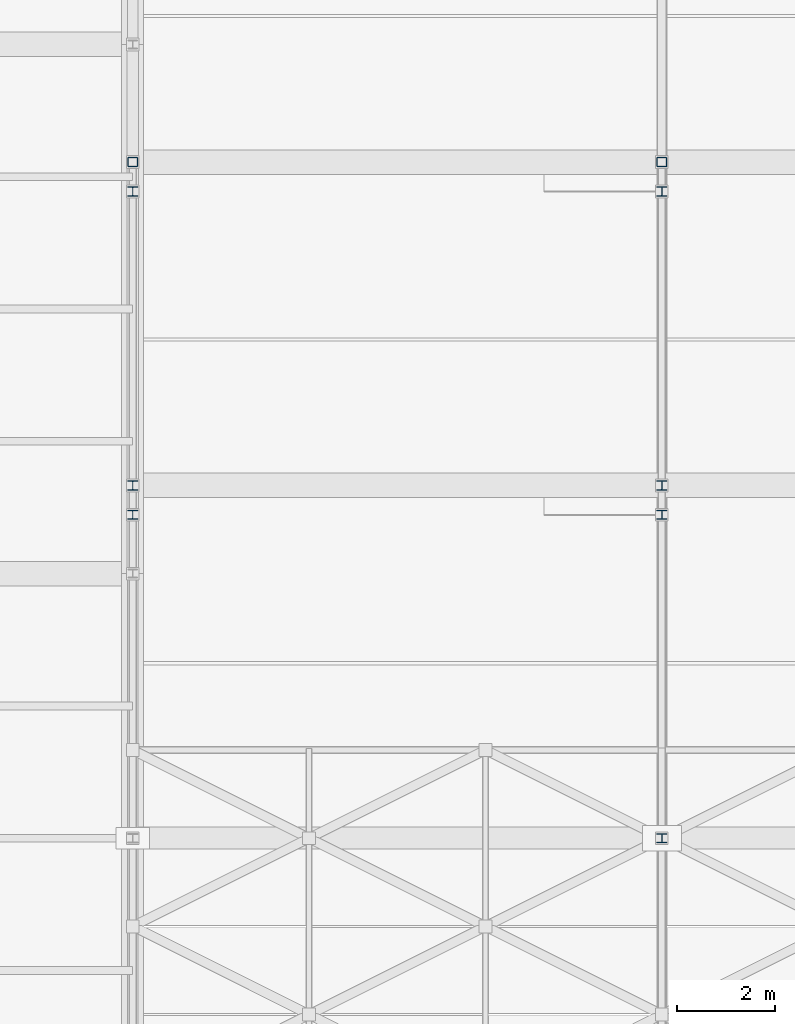
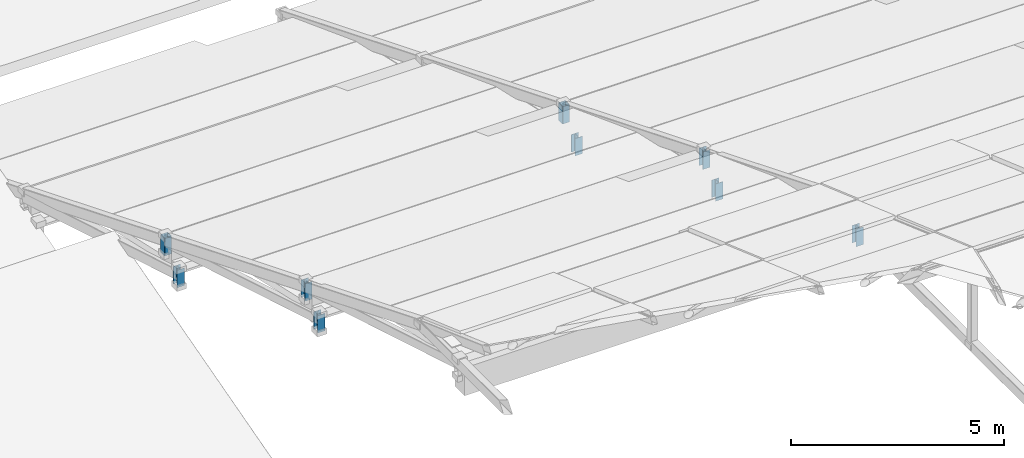
# One storey, part 76 of 112: 9 members.
"""IFC4 building model written with IfcOpenShell, lengths in metres."""

from ifc_helpers import new_model, si_unit, direction, frame, origin, origin_2d, place, context, subcontext, project, spatial, hollow_rectangle, i_section, extrude, material, material_profile, profile_set, type_object, element, save


model = new_model("IFC4")

# Units and contexts
model_context = context("Model", 3, precision=1e-05, world=origin(), true_north=direction((0.0, 1.0)))
body_context = subcontext(model_context, "Body", "Model", "MODEL_VIEW")
ifc_project = project(units=[si_unit("LENGTHUNIT", "METRE"), si_unit("AREAUNIT", "SQUARE_METRE"), si_unit("VOLUMEUNIT", "CUBIC_METRE"), si_unit("PLANEANGLEUNIT", "RADIAN"), si_unit("MASSUNIT", "GRAM", prefix="KILO")], contexts=[model_context])

# Site, building, storey
site_placement = place(None, origin())
site = spatial("IfcSite", under=ifc_project, at=site_placement, CompositionType="ELEMENT")
building_placement = place(site_placement, origin())
building = spatial("IfcBuilding", under=site, at=building_placement, Name="Zwinboog Wholesale Market", CompositionType="ELEMENT")
storey_placement = place(building_placement, frame((0.0, 0.0, 19.080078125)))
storey = spatial("IfcBuildingStorey", under=building, at=storey_placement, Name="Roof", CompositionType="ELEMENT", Elevation=19.080078125)

# Members
ifc_material = material(Name="Steel S355", Category="steel")
ifc_material_profile_1 = material_profile(ifc_material, hollow_rectangle(XDim=0.199951171875, YDim=0.199951171875, WallThickness=0.010009765625, InnerFilletRadius=0.010009765625, OuterFilletRadius=0.02001953125, at=origin_2d()), Name="SHS 200x200x10")
ifc_profile_set_1 = profile_set([ifc_material_profile_1], Name="Steel S355")
member_type_1 = type_object("IfcMemberType", Name="MT-04", PredefinedType="BRACE", material=ifc_profile_set_1)
for number, where, z_axis, x_axis, name in (
    (1, (64.800048828125, 94.800048828125, -4.630126953125), (0.0, 0.0, 1.0), (1.0, 0.0, 0.0), "DB-01 (MEM-Roof-0021)"),
    (2, (75.60009765625, 94.800048828125, -4.630126953125), (0.0, 0.0, 1.0), (1.0, 0.0, 0.0), "DB-01 (MEM-Roof-0051)"),
):
    element("IfcMember", number, at=place(storey_placement, frame(where, z_axis=z_axis, x_axis=x_axis)), inside=storey, type_object=member_type_1, Name=name, PredefinedType="BRACE", context=body_context, shape_type="SweptSolid", body=[
        extrude(hollow_rectangle(XDim=0.199951171875, YDim=0.199951171875, WallThickness=0.010009765625, InnerFilletRadius=0.010009765625, OuterFilletRadius=0.02001953125, at=origin_2d()), origin(), (0.0, 0.0, 1.0), 0.5),
    ])
ifc_material_profile_2 = material_profile(ifc_material, i_section(OverallWidth=0.199951171875, OverallDepth=0.18994140625, WebThickness=0.006591796875, FlangeThickness=0.010009765625, FilletRadius=0.01806640625, at=origin_2d()), Name="HEA 200")
ifc_profile_set_2 = profile_set([ifc_material_profile_2], Name="Steel S355")
member_type_2 = type_object("IfcMemberType", Name="MT-05", PredefinedType="BRACE", material=ifc_profile_set_2)
for number, where, z_axis, x_axis, name in (
    (3, (64.800048828125, 94.199951171875, -5.18017578125), (0.0, 0.0, 1.0), (1.0, 0.0, 0.0), "DB-02 (MEM-Roof-0019)"),
    (4, (64.800048828125, 87.60009765625, -2.47998046875), (0.0, 0.0, 1.0), (1.0, 0.0, 0.0), "DB-02 (MEM-Roof-0022)"),
    (5, (64.800048828125, 88.199951171875, -1.93017578125), (0.0, 0.0, 1.0), (1.0, 0.0, 0.0), "DB-02 (MEM-Roof-0024)"),
    (6, (75.60009765625, 94.199951171875, -5.18017578125), (0.0, 0.0, 1.0), (1.0, 0.0, 0.0), "DB-02 (MEM-Roof-0049)"),
    (7, (75.60009765625, 87.60009765625, -2.47998046875), (0.0, 0.0, 1.0), (1.0, 0.0, 0.0), "DB-02 (MEM-Roof-0052)"),
    (8, (75.60009765625, 88.199951171875, -1.93017578125), (0.0, 0.0, 1.0), (1.0, 0.0, 0.0), "DB-02 (MEM-Roof-0054)"),
    (9, (75.60009765625, 81.0, 0.219970703125), (0.0, 0.0, 1.0), (1.0, 0.0, 0.0), "DB-02 (MEM-Roof-0055)"),
):
    element("IfcMember", number, at=place(storey_placement, frame(where, z_axis=z_axis, x_axis=x_axis)), inside=storey, type_object=member_type_2, Name=name, PredefinedType="BRACE", context=body_context, shape_type="SweptSolid", body=[
        extrude(i_section(OverallWidth=0.199951171875, OverallDepth=0.18994140625, WebThickness=0.006591796875, FlangeThickness=0.010009765625, FilletRadius=0.01806640625, at=origin_2d()), origin(), (0.0, 0.0, 1.0), 0.5),
    ])

save(model, "model.ifc")
